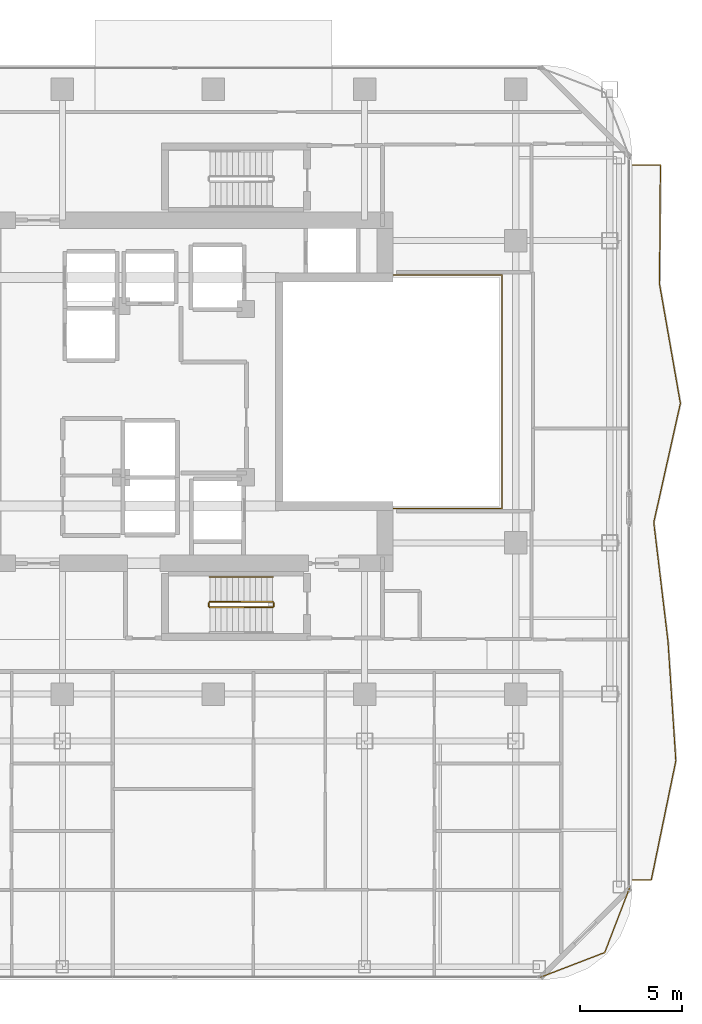
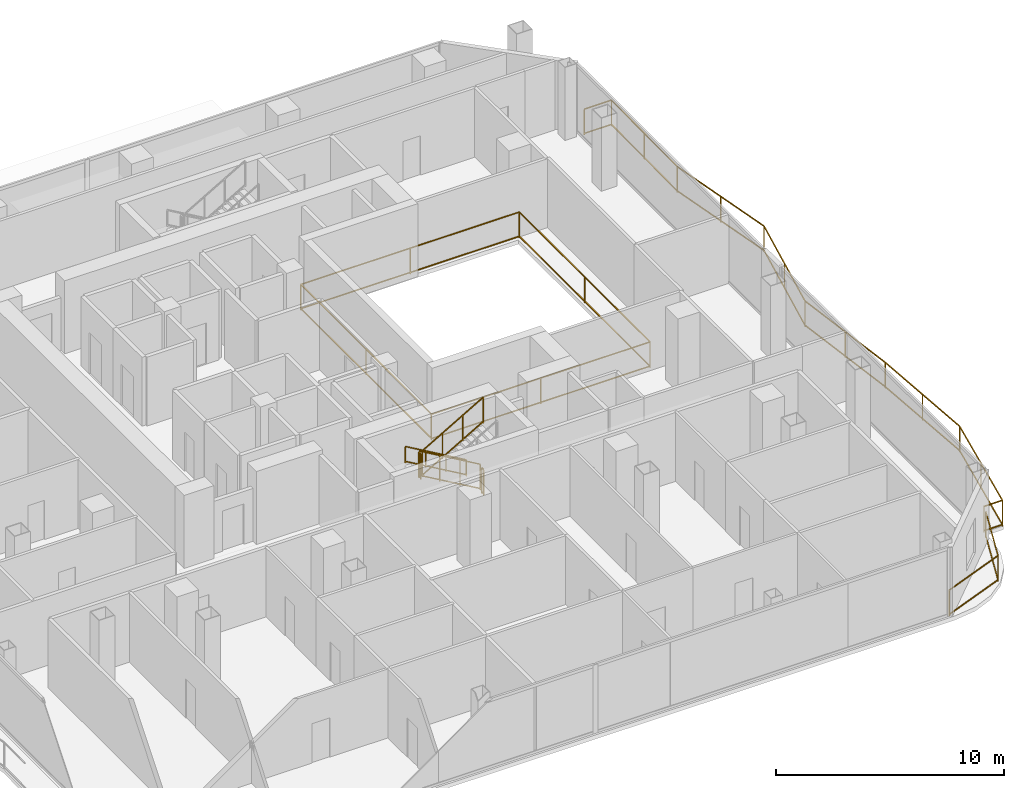
# One storey, part 22 of 23: 8 railings.
"""IFC4 building model written with IfcOpenShell, lengths in metres."""

from ifc_helpers import new_model, si_unit, direction, frame, origin, origin_2d, place, context, subcontext, project, spatial, rectangle, extrude, material, type_object, element, save


model = new_model("IFC4")

# Units and contexts
model_context = context("Model", 3, precision=1e-05, world=origin(), true_north=direction((0.0, 1.0)))
body_context = subcontext(model_context, "Body", "Model", "MODEL_VIEW")
ifc_project = project(units=[si_unit("LENGTHUNIT", "METRE"), si_unit("AREAUNIT", "SQUARE_METRE"), si_unit("VOLUMEUNIT", "CUBIC_METRE"), si_unit("PLANEANGLEUNIT", "RADIAN"), si_unit("MASSUNIT", "GRAM", prefix="KILO")], contexts=[model_context])

# Site, building, storey
site_placement = place(None, origin())
site = spatial("IfcSite", under=ifc_project, at=site_placement, CompositionType="ELEMENT")
building_placement = place(site_placement, origin())
building = spatial("IfcBuilding", under=site, at=building_placement, Name="Khorvyn Point Tower", CompositionType="ELEMENT")
storey_placement = place(building_placement, frame((0.0, 0.0, 195.300048828125)))
storey = spatial("IfcBuildingStorey", under=building, at=storey_placement, Name="L48", CompositionType="ELEMENT", Elevation=195.300048828125)

# Railings
ifc_material_1 = material(Name="Stainless steel 1.4401 and laminated glass", Category="steel")
railing_type_1 = type_object("IfcRailingType", Name="Crystal Atrium Smoke-Rated Perimeter Guardrail 1400", PredefinedType="GUARDRAIL", material=ifc_material_1)
railing_1_placement = place(storey_placement, frame((3.080078125, -5.719970703125, 0.0)))
element("IfcRailing", 1, at=railing_1_placement, inside=storey, type_object=railing_type_1, Name="L48 Crystal Atrium Perimeter Guardrail", PredefinedType="GUARDRAIL", context=body_context, shape_type="SweptSolid", body=[
    extrude(rectangle(XDim=0.048095703125, YDim=0.048095703125, at=origin_2d()), frame((0.0, 0.0, 1.3759765625), z_axis=(1.0, 0.0, 0.0), x_axis=(0.0, 1.0, 0.0)), (0.0, 0.0, 1.0), 11.0400390625),
    extrude(rectangle(XDim=0.048095703125, YDim=0.048095703125, at=origin_2d()), frame((0.0, 0.0, 0.080078125), z_axis=(1.0, 0.0, 0.0), x_axis=(0.0, 1.0, 0.0)), (0.0, 0.0, 1.0), 11.0400390625),
    extrude(rectangle(XDim=0.048095703125, YDim=0.048095703125, at=origin_2d()), frame((11.0400390625, 0.0, 1.3759765625), z_axis=(0.0, 1.0, 0.0), x_axis=(-1.0, 0.0, 0.0)), (0.0, 0.0, 1.0), 11.43994140625),
    extrude(rectangle(XDim=0.048095703125, YDim=0.048095703125, at=origin_2d()), frame((11.0400390625, 0.0, 0.080078125), z_axis=(0.0, 1.0, 0.0), x_axis=(-1.0, 0.0, 0.0)), (0.0, 0.0, 1.0), 11.43994140625),
    extrude(rectangle(XDim=0.048095703125, YDim=0.048095703125, at=origin_2d()), frame((11.0400390625, 11.43994140625, 1.3759765625), z_axis=(-1.0, 0.0, 0.0), x_axis=(0.0, -1.0, 0.0)), (0.0, 0.0, 1.0), 11.0400390625),
    extrude(rectangle(XDim=0.048095703125, YDim=0.048095703125, at=origin_2d()), frame((11.0400390625, 11.43994140625, 0.080078125), z_axis=(-1.0, 0.0, 0.0), x_axis=(0.0, -1.0, 0.0)), (0.0, 0.0, 1.0), 11.0400390625),
    extrude(rectangle(XDim=0.048095703125, YDim=0.048095703125, at=origin_2d()), frame((0.0, 11.43994140625, 1.3759765625), z_axis=(0.0, -1.0, 0.0), x_axis=(1.0, 0.0, 0.0)), (0.0, 0.0, 1.0), 11.409912109375),
    extrude(rectangle(XDim=0.048095703125, YDim=0.048095703125, at=origin_2d()), frame((0.0, 11.43994140625, 0.080078125), z_axis=(0.0, -1.0, 0.0), x_axis=(1.0, 0.0, 0.0)), (0.0, 0.0, 1.0), 11.409912109375),
    extrude(rectangle(XDim=0.0419921875, YDim=0.0419921875, at=origin_2d()), origin(), (0.0, 0.0, 1.0), 1.351806640625),
    extrude(rectangle(XDim=0.0419921875, YDim=0.0419921875, at=origin_2d()), frame((5.52001953125, 0.0, 0.0)), (0.0, 0.0, 1.0), 1.351806640625),
    extrude(rectangle(XDim=0.0419921875, YDim=0.0419921875, at=origin_2d()), frame((11.0400390625, 0.0, 0.0)), (0.0, 0.0, 1.0), 1.351806640625),
    extrude(rectangle(XDim=0.0419921875, YDim=0.0419921875, at=origin_2d()), frame((11.0400390625, 5.719970703125, 0.0)), (0.0, 0.0, 1.0), 1.351806640625),
    extrude(rectangle(XDim=0.0419921875, YDim=0.0419921875, at=origin_2d()), frame((11.0400390625, 11.43994140625, 0.0)), (0.0, 0.0, 1.0), 1.351806640625),
    extrude(rectangle(XDim=0.0419921875, YDim=0.0419921875, at=origin_2d()), frame((5.52001953125, 11.43994140625, 0.0)), (0.0, 0.0, 1.0), 1.351806640625),
    extrude(rectangle(XDim=0.0419921875, YDim=0.0419921875, at=origin_2d()), frame((0.0, 11.43994140625, 0.0)), (0.0, 0.0, 1.0), 1.351806640625),
    extrude(rectangle(XDim=0.0419921875, YDim=0.0419921875, at=origin_2d()), frame((0.0, 5.73486328125, 0.0)), (0.0, 0.0, 1.0), 1.351806640625),
    extrude(rectangle(XDim=0.0419921875, YDim=0.0419921875, at=origin_2d()), frame((0.0, 0.030029296875, 0.0)), (0.0, 0.0, 1.0), 1.351806640625),
])
ifc_material_2 = material(Name="Anodised aluminium 6063-T6 and laminated safety glass", Category="aluminium")
railing_type_2 = type_object("IfcRailingType", Name="Laminated Glass and Aluminium Balcony Guardrail 1400", PredefinedType="BALUSTRADE", material=ifc_material_2)
railing_2_placement = place(storey_placement, frame((15.981201171875, -28.67431640625, 0.0)))
element("IfcRailing", 2, at=railing_2_placement, inside=storey, type_object=railing_type_2, Name="L48 Rounded Corner Edge Guardrail SE", PredefinedType="BALUSTRADE", context=body_context, shape_type="SweptSolid", body=[
    extrude(rectangle(XDim=0.048095703125, YDim=0.048095703125, at=origin_2d()), frame((0.0, 0.0, 1.3759765625), z_axis=(0.933589651443, 0.358343916815, 0.0), x_axis=(-0.358343916815, 0.933589651443, 0.0)), (0.0, 0.0, 1.0), 3.400390625),
    extrude(rectangle(XDim=0.048095703125, YDim=0.048095703125, at=origin_2d()), frame((0.0, 0.0, 0.080078125), z_axis=(0.933589651443, 0.358343916815, 0.0), x_axis=(-0.358343916815, 0.933589651443, 0.0)), (0.0, 0.0, 1.0), 3.400390625),
    extrude(rectangle(XDim=0.048095703125, YDim=0.048095703125, at=origin_2d()), frame((3.174560546875, 1.218505859375, 1.3759765625), z_axis=(0.358343916815, 0.933589651443, 0.0), x_axis=(-0.933589651443, 0.358343916815, 0.0)), (0.0, 0.0, 1.0), 3.400390625),
    extrude(rectangle(XDim=0.048095703125, YDim=0.048095703125, at=origin_2d()), frame((3.174560546875, 1.218505859375, 0.080078125), z_axis=(0.358343916815, 0.933589651443, 0.0), x_axis=(-0.933589651443, 0.358343916815, 0.0)), (0.0, 0.0, 1.0), 3.400390625),
    extrude(rectangle(XDim=0.0419921875, YDim=0.0419921875, at=origin_2d()), origin(), (0.0, 0.0, 1.0), 1.351806640625),
    extrude(rectangle(XDim=0.0419921875, YDim=0.0419921875, at=origin_2d()), frame((3.174560546875, 1.218505859375, 0.0)), (0.0, 0.0, 1.0), 1.351806640625),
    extrude(rectangle(XDim=0.0419921875, YDim=0.0419921875, at=origin_2d()), frame((4.39306640625, 4.39306640625, 0.0)), (0.0, 0.0, 1.0), 1.351806640625),
])
railing_3_placement = place(storey_placement, frame((20.5, -23.89990234375, 0.0)))
element("IfcRailing", 3, at=railing_3_placement, inside=storey, type_object=railing_type_2, Name="L48 East Balcony Guardrail", PredefinedType="BALUSTRADE", context=body_context, shape_type="SweptSolid", body=[
    extrude(rectangle(XDim=0.048095703125, YDim=0.048095703125, at=origin_2d()), frame((0.0, 0.0, 1.3759765625), z_axis=(1.0, 0.0, 0.0), x_axis=(0.0, 1.0, 0.0)), (0.0, 0.0, 1.0), 0.9326171875),
    extrude(rectangle(XDim=0.048095703125, YDim=0.048095703125, at=origin_2d()), frame((0.0, 0.0, 0.080078125), z_axis=(1.0, 0.0, 0.0), x_axis=(0.0, 1.0, 0.0)), (0.0, 0.0, 1.0), 0.9326171875),
    extrude(rectangle(XDim=0.048095703125, YDim=0.048095703125, at=origin_2d()), frame((0.9326171875, 0.0, 1.3759765625), z_axis=(0.20196171942, 0.979393416299, 0.0), x_axis=(-0.979393416299, 0.20196171942, 0.0)), (0.0, 0.0, 1.0), 5.9560546875),
    extrude(rectangle(XDim=0.048095703125, YDim=0.048095703125, at=origin_2d()), frame((0.9326171875, 0.0, 0.080078125), z_axis=(0.20196171942, 0.979393416299, 0.0), x_axis=(-0.979393416299, 0.20196171942, 0.0)), (0.0, 0.0, 1.0), 5.9560546875),
    extrude(rectangle(XDim=0.048095703125, YDim=0.048095703125, at=origin_2d()), frame((2.135498046875, 5.833251953125, 1.3759765625), z_axis=(-0.065568220797, 0.99784808885, 0.0), x_axis=(-0.99784808885, -0.065568220797, 0.0)), (0.0, 0.0, 1.0), 5.845947265625),
    extrude(rectangle(XDim=0.048095703125, YDim=0.048095703125, at=origin_2d()), frame((2.135498046875, 5.833251953125, 0.080078125), z_axis=(-0.065568220797, 0.99784808885, 0.0), x_axis=(-0.99784808885, -0.065568220797, 0.0)), (0.0, 0.0, 1.0), 5.845947265625),
    extrude(rectangle(XDim=0.048095703125, YDim=0.048095703125, at=origin_2d()), frame((1.752197265625, 11.66650390625, 1.3759765625), z_axis=(-0.118724083509, 0.992927284344, 0.0), x_axis=(-0.992927284344, -0.118724083509, 0.0)), (0.0, 0.0, 1.0), 5.875),
    extrude(rectangle(XDim=0.048095703125, YDim=0.048095703125, at=origin_2d()), frame((1.752197265625, 11.66650390625, 0.080078125), z_axis=(-0.118724083509, 0.992927284344, 0.0), x_axis=(-0.992927284344, -0.118724083509, 0.0)), (0.0, 0.0, 1.0), 5.875),
    extrude(rectangle(XDim=0.048095703125, YDim=0.048095703125, at=origin_2d()), frame((1.0546875, 17.5, 1.3759765625), z_axis=(0.218037493008, 0.975940393489, 0.0), x_axis=(-0.975940393489, 0.218037493008, 0.0)), (0.0, 0.0, 1.0), 5.97705078125),
    extrude(rectangle(XDim=0.048095703125, YDim=0.048095703125, at=origin_2d()), frame((1.0546875, 17.5, 0.080078125), z_axis=(0.218037493008, 0.975940393489, 0.0), x_axis=(-0.975940393489, 0.218037493008, 0.0)), (0.0, 0.0, 1.0), 5.97705078125),
    extrude(rectangle(XDim=0.048095703125, YDim=0.048095703125, at=origin_2d()), frame((2.35791015625, 23.333251953125, 1.3759765625), z_axis=(-0.172409332751, 0.985025391541, 0.0), x_axis=(-0.985025391541, -0.172409332751, 0.0)), (0.0, 0.0, 1.0), 5.921875),
    extrude(rectangle(XDim=0.048095703125, YDim=0.048095703125, at=origin_2d()), frame((2.35791015625, 23.333251953125, 0.080078125), z_axis=(-0.172409332751, 0.985025391541, 0.0), x_axis=(-0.985025391541, -0.172409332751, 0.0)), (0.0, 0.0, 1.0), 5.921875),
    extrude(rectangle(XDim=0.048095703125, YDim=0.048095703125, at=origin_2d()), frame((1.3369140625, 29.16650390625, 1.3759765625), z_axis=(0.00740751418, 0.99997256399, 0.0), x_axis=(-0.99997256399, 0.00740751418, 0.0)), (0.0, 0.0, 1.0), 5.833740234375),
    extrude(rectangle(XDim=0.048095703125, YDim=0.048095703125, at=origin_2d()), frame((1.3369140625, 29.16650390625, 0.080078125), z_axis=(0.00740751418, 0.99997256399, 0.0), x_axis=(-0.99997256399, 0.00740751418, 0.0)), (0.0, 0.0, 1.0), 5.833740234375),
    extrude(rectangle(XDim=0.048095703125, YDim=0.048095703125, at=origin_2d()), frame((1.380126953125, 35.0, 1.3759765625), z_axis=(-1.0, 0.0, 0.0), x_axis=(0.0, -1.0, 0.0)), (0.0, 0.0, 1.0), 1.380126953125),
    extrude(rectangle(XDim=0.048095703125, YDim=0.048095703125, at=origin_2d()), frame((1.380126953125, 35.0, 0.080078125), z_axis=(-1.0, 0.0, 0.0), x_axis=(0.0, -1.0, 0.0)), (0.0, 0.0, 1.0), 1.380126953125),
    extrude(rectangle(XDim=0.0419921875, YDim=0.0419921875, at=origin_2d()), origin(), (0.0, 0.0, 1.0), 1.351806640625),
    extrude(rectangle(XDim=0.0419921875, YDim=0.0419921875, at=origin_2d()), frame((0.9326171875, 0.0, 0.0)), (0.0, 0.0, 1.0), 1.351806640625),
    extrude(rectangle(XDim=0.0419921875, YDim=0.0419921875, at=origin_2d()), frame((1.5341796875, 2.91650390625, 0.0)), (0.0, 0.0, 1.0), 1.351806640625),
    extrude(rectangle(XDim=0.0419921875, YDim=0.0419921875, at=origin_2d()), frame((2.135498046875, 5.833251953125, 0.0)), (0.0, 0.0, 1.0), 1.351806640625),
    extrude(rectangle(XDim=0.0419921875, YDim=0.0419921875, at=origin_2d()), frame((1.94384765625, 8.75, 0.0)), (0.0, 0.0, 1.0), 1.351806640625),
    extrude(rectangle(XDim=0.0419921875, YDim=0.0419921875, at=origin_2d()), frame((1.752197265625, 11.66650390625, 0.0)), (0.0, 0.0, 1.0), 1.351806640625),
    extrude(rectangle(XDim=0.0419921875, YDim=0.0419921875, at=origin_2d()), frame((1.4033203125, 14.583251953125, 0.0)), (0.0, 0.0, 1.0), 1.351806640625),
    extrude(rectangle(XDim=0.0419921875, YDim=0.0419921875, at=origin_2d()), frame((1.0546875, 17.5, 0.0)), (0.0, 0.0, 1.0), 1.351806640625),
    extrude(rectangle(XDim=0.0419921875, YDim=0.0419921875, at=origin_2d()), frame((1.706298828125, 20.41650390625, 0.0)), (0.0, 0.0, 1.0), 1.351806640625),
    extrude(rectangle(XDim=0.0419921875, YDim=0.0419921875, at=origin_2d()), frame((2.35791015625, 23.333251953125, 0.0)), (0.0, 0.0, 1.0), 1.351806640625),
    extrude(rectangle(XDim=0.0419921875, YDim=0.0419921875, at=origin_2d()), frame((1.847412109375, 26.25, 0.0)), (0.0, 0.0, 1.0), 1.351806640625),
    extrude(rectangle(XDim=0.0419921875, YDim=0.0419921875, at=origin_2d()), frame((1.3369140625, 29.16650390625, 0.0)), (0.0, 0.0, 1.0), 1.351806640625),
    extrude(rectangle(XDim=0.0419921875, YDim=0.0419921875, at=origin_2d()), frame((1.3583984375, 32.083251953125, 0.0)), (0.0, 0.0, 1.0), 1.351806640625),
    extrude(rectangle(XDim=0.0419921875, YDim=0.0419921875, at=origin_2d()), frame((1.380126953125, 35.0, 0.0)), (0.0, 0.0, 1.0), 1.351806640625),
    extrude(rectangle(XDim=0.0419921875, YDim=0.0419921875, at=origin_2d()), frame((0.0, 35.0, 0.0)), (0.0, 0.0, 1.0), 1.351806640625),
])
ifc_material_3 = material(Name="Stainless steel 1.4301", Category="steel")
railing_type_3 = type_object("IfcRailingType", Name="Stainless Steel 304 Stair Pitch Handrail 900", PredefinedType="HANDRAIL", material=ifc_material_3)
railing_4_placement = place(storey_placement, frame((2.89990234375, -9.070068359375, 0.162353515625)))
element("IfcRailing", 4, at=railing_4_placement, inside=storey, type_object=railing_type_3, Name="L48 ST-01 stair handrail 1", PredefinedType="HANDRAIL", context=body_context, shape_type="SweptSolid", body=[
    extrude(rectangle(XDim=0.048095703125, YDim=0.048095703125, at=origin_2d()), frame((0.0, 0.0, 0.8759765625), z_axis=(-0.864873446163, 0.0, 0.501989962173), x_axis=(0.0, -1.0, 0.0)), (0.0, 0.0, 1.0), 3.56103515625),
    extrude(rectangle(XDim=0.048095703125, YDim=0.048095703125, at=origin_2d()), frame((0.0, 0.0, 0.080078125), z_axis=(-0.864873446163, 0.0, 0.501989962173), x_axis=(0.0, -1.0, 0.0)), (0.0, 0.0, 1.0), 3.56103515625),
    extrude(rectangle(XDim=0.0419921875, YDim=0.0419921875, at=origin_2d()), origin(), (0.0, 0.0, 1.0), 0.851806640625),
    extrude(rectangle(XDim=0.0419921875, YDim=0.0419921875, at=origin_2d()), frame((-1.026611328125, 0.0, 0.595947265625)), (0.0, 0.0, 1.0), 0.851806640625),
    extrude(rectangle(XDim=0.0419921875, YDim=0.0419921875, at=origin_2d()), frame((-2.05322265625, 0.0, 1.191650390625)), (0.0, 0.0, 1.0), 0.851806640625),
    extrude(rectangle(XDim=0.0419921875, YDim=0.0419921875, at=origin_2d()), frame((-3.079833984375, 0.0, 1.78759765625)), (0.0, 0.0, 1.0), 0.851806640625),
])
railing_type_4 = type_object("IfcRailingType", Name="Stainless Steel 304 Stair Well Guardrail 1400", PredefinedType="GUARDRAIL", material=ifc_material_3)
railing_5_placement = place(storey_placement, frame((2.89990234375, -10.2900390625, 0.162353515625)))
element("IfcRailing", 5, at=railing_5_placement, inside=storey, type_object=railing_type_4, Name="L48 ST-01 stair guard 1", PredefinedType="GUARDRAIL", context=body_context, shape_type="SweptSolid", body=[
    extrude(rectangle(XDim=0.048095703125, YDim=0.048095703125, at=origin_2d()), frame((0.0, 0.0, 1.3759765625), z_axis=(-0.864873446163, 0.0, 0.501989962173), x_axis=(0.0, -1.0, 0.0)), (0.0, 0.0, 1.0), 3.56103515625),
    extrude(rectangle(XDim=0.048095703125, YDim=0.048095703125, at=origin_2d()), frame((0.0, 0.0, 0.080078125), z_axis=(-0.864873446163, 0.0, 0.501989962173), x_axis=(0.0, -1.0, 0.0)), (0.0, 0.0, 1.0), 3.56103515625),
    extrude(rectangle(XDim=0.0419921875, YDim=0.0419921875, at=origin_2d()), origin(), (0.0, 0.0, 1.0), 1.351806640625),
    extrude(rectangle(XDim=0.0419921875, YDim=0.0419921875, at=origin_2d()), frame((-1.026611328125, 0.0, 0.595947265625)), (0.0, 0.0, 1.0), 1.351806640625),
    extrude(rectangle(XDim=0.0419921875, YDim=0.0419921875, at=origin_2d()), frame((-2.05322265625, 0.0, 1.191650390625)), (0.0, 0.0, 1.0), 1.351806640625),
    extrude(rectangle(XDim=0.0419921875, YDim=0.0419921875, at=origin_2d()), frame((-3.079833984375, 0.0, 1.78759765625)), (0.0, 0.0, 1.0), 1.351806640625),
])
railing_6_placement = place(storey_placement, frame((-0.22998046875, -10.340087890625, 1.949951171875)))
element("IfcRailing", 6, at=railing_6_placement, inside=storey, type_object=railing_type_4, Name="L48 ST-01 stair guard 2", PredefinedType="GUARDRAIL", context=body_context, shape_type="SweptSolid", body=[
    extrude(rectangle(XDim=0.048095703125, YDim=0.048095703125, at=origin_2d()), frame((0.0, 0.0, 1.3759765625), z_axis=(0.0, -1.0, 0.0), x_axis=(1.0, 0.0, 0.0)), (0.0, 0.0, 1.0), 0.159912109375),
    extrude(rectangle(XDim=0.048095703125, YDim=0.048095703125, at=origin_2d()), frame((0.0, 0.0, 0.080078125), z_axis=(0.0, -1.0, 0.0), x_axis=(1.0, 0.0, 0.0)), (0.0, 0.0, 1.0), 0.159912109375),
    extrude(rectangle(XDim=0.0419921875, YDim=0.0419921875, at=origin_2d()), origin(), (0.0, 0.0, 1.0), 1.351806640625),
    extrude(rectangle(XDim=0.0419921875, YDim=0.0419921875, at=origin_2d()), frame((0.0, -0.159912109375, 0.0)), (0.0, 0.0, 1.0), 1.351806640625),
])
railing_7_placement = place(storey_placement, frame((-0.179931640625, -10.550048828125, 2.112548828125)))
element("IfcRailing", 7, at=railing_7_placement, inside=storey, type_object=railing_type_4, Name="L48 ST-01 stair guard 3", PredefinedType="GUARDRAIL", context=body_context, shape_type="SweptSolid", body=[
    extrude(rectangle(XDim=0.048095703125, YDim=0.048095703125, at=origin_2d()), frame((0.0, 0.0, 1.3759765625), z_axis=(0.864903211148, 0.0, 0.501938676878), x_axis=(0.0, 1.0, 0.0)), (0.0, 0.0, 1.0), 3.560791015625),
    extrude(rectangle(XDim=0.048095703125, YDim=0.048095703125, at=origin_2d()), frame((0.0, 0.0, 0.080078125), z_axis=(0.864903211148, 0.0, 0.501938676878), x_axis=(0.0, 1.0, 0.0)), (0.0, 0.0, 1.0), 3.560791015625),
    extrude(rectangle(XDim=0.0419921875, YDim=0.0419921875, at=origin_2d()), origin(), (0.0, 0.0, 1.0), 1.351806640625),
    extrude(rectangle(XDim=0.0419921875, YDim=0.0419921875, at=origin_2d()), frame((1.026611328125, 0.0, 0.595703125)), (0.0, 0.0, 1.0), 1.351806640625),
    extrude(rectangle(XDim=0.0419921875, YDim=0.0419921875, at=origin_2d()), frame((2.05322265625, 0.0, 1.191650390625)), (0.0, 0.0, 1.0), 1.351806640625),
    extrude(rectangle(XDim=0.0419921875, YDim=0.0419921875, at=origin_2d()), frame((3.079833984375, 0.0, 1.787353515625)), (0.0, 0.0, 1.0), 1.351806640625),
])
railing_8_placement = place(storey_placement, frame((2.949951171875, -10.340087890625, 0.0)))
element("IfcRailing", 8, at=railing_8_placement, inside=storey, type_object=railing_type_4, Name="L48 ST-01 stair guard 4", PredefinedType="GUARDRAIL", context=body_context, shape_type="SweptSolid", body=[
    extrude(rectangle(XDim=0.048095703125, YDim=0.048095703125, at=origin_2d()), frame((0.0, 0.0, 1.3759765625), z_axis=(0.0, -1.0, 0.0), x_axis=(1.0, 0.0, 0.0)), (0.0, 0.0, 1.0), 0.159912109375),
    extrude(rectangle(XDim=0.048095703125, YDim=0.048095703125, at=origin_2d()), frame((0.0, 0.0, 0.080078125), z_axis=(0.0, -1.0, 0.0), x_axis=(1.0, 0.0, 0.0)), (0.0, 0.0, 1.0), 0.159912109375),
    extrude(rectangle(XDim=0.0419921875, YDim=0.0419921875, at=origin_2d()), origin(), (0.0, 0.0, 1.0), 1.351806640625),
    extrude(rectangle(XDim=0.0419921875, YDim=0.0419921875, at=origin_2d()), frame((0.0, -0.159912109375, 0.0)), (0.0, 0.0, 1.0), 1.351806640625),
])

save(model, "model.ifc")
